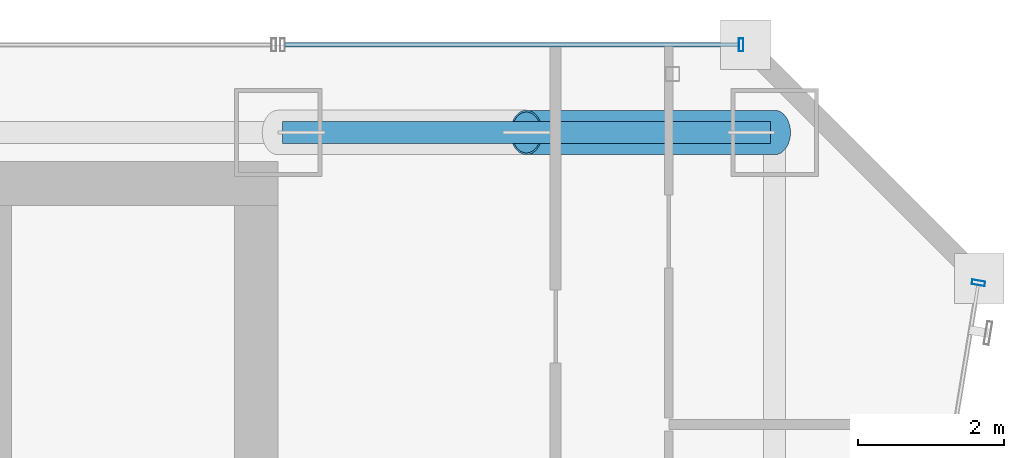
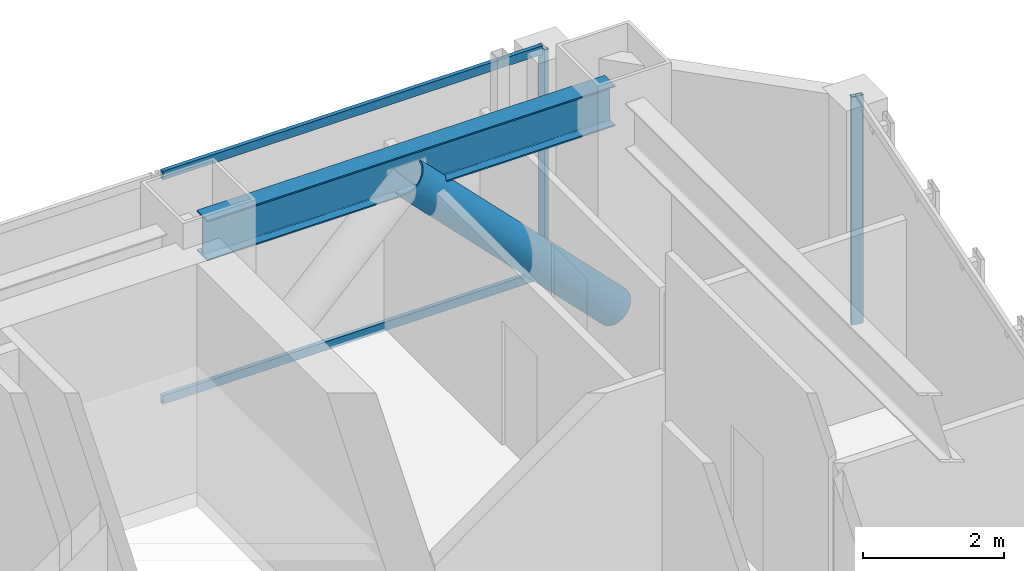
# One storey, part 33 of 47: 5 members, 1 beam, 2 elements without a shape of their own.
"""IFC4 building model written with IfcOpenShell, lengths in metres."""

from ifc_helpers import new_model, si_unit, direction, frame, origin, origin_2d, place, context, subcontext, project, spatial, hollow_rectangle, hollow_circle, i_section, extrude, material, material_profile, profile_set, type_object, element, aggregate, save


model = new_model("IFC4")

# Units and contexts
model_context = context("Model", 3, precision=1e-05, world=origin(), true_north=direction((0.0, 1.0)))
body_context = subcontext(model_context, "Body", "Model", "MODEL_VIEW")
ifc_project = project(units=[si_unit("LENGTHUNIT", "METRE"), si_unit("AREAUNIT", "SQUARE_METRE"), si_unit("VOLUMEUNIT", "CUBIC_METRE"), si_unit("PLANEANGLEUNIT", "RADIAN"), si_unit("MASSUNIT", "GRAM", prefix="KILO")], contexts=[model_context])

# Site, building, storey
site_placement = place(None, origin())
site = spatial("IfcSite", under=ifc_project, at=site_placement, CompositionType="ELEMENT")
building_placement = place(site_placement, origin())
building = spatial("IfcBuilding", under=site, at=building_placement, Name="Saevonmaru Cultural Tower", CompositionType="ELEMENT")
storey_placement = place(building_placement, frame((0.0, 0.0, 82.39990234375)))
storey = spatial("IfcBuildingStorey", under=building, at=storey_placement, Name="L17", CompositionType="ELEMENT", Elevation=82.39990234375)

# Beam
ifc_material_1 = material(Name="Steel SM355", Category="steel")
ifc_material_profile_1 = material_profile(ifc_material_1, i_section(OverallWidth=0.300048828125, OverallDepth=0.699951171875, WebThickness=0.012939453125, FlangeThickness=0.02392578125, FilletRadius=0.02587890625, at=origin_2d()), Name="H-700x300x13x24")
ifc_profile_set_1 = profile_set([ifc_material_profile_1], Name="Steel SM355")
beam_type = type_object("IfcBeamType", Name="BM-SP-H700", PredefinedType="SPANDREL", material=ifc_profile_set_1)
beam_placement = place(storey_placement, frame((46.4599609375, 54.800048828125, 3.60009765625), z_axis=(1.0, 0.0, 0.0), x_axis=(0.0, 1.0, 0.0)))
element("IfcBeam", 1, at=beam_placement, inside=storey, type_object=beam_type, Name="L17 North Spine Girder 5", PredefinedType="SPANDREL", context=body_context, shape_type="SweptSolid", body=[
    extrude(i_section(OverallWidth=0.300048828125, OverallDepth=0.699951171875, WebThickness=0.012939453125, FlangeThickness=0.02392578125, FilletRadius=0.02587890625, at=origin_2d()), origin(), (0.0, 0.0, 1.0), 6.679931640625),
])

# Member
ifc_material_2 = material(Name="Steel HSA600 (600 MPa)", Category="steel")
ifc_material_profile_2 = material_profile(ifc_material_2, hollow_circle(Radius=0.3046875, WallThickness=0.02490234375, at=origin_2d()), Name="CHS-609.6x25")
ifc_profile_set_2 = profile_set([ifc_material_profile_2], Name="Steel HSA600 (600 MPa)")
member_type_1 = type_object("IfcMemberType", Name="MB-PBR-CHS610", PredefinedType="BRACE", material=ifc_profile_set_2)
member_1_placement = place(storey_placement, frame((53.199951171875, 54.800048828125, 0.02001953125), z_axis=(-0.701896332213, 0.0, 0.712279115815), x_axis=(0.0, -1.0, 0.0)))
element("IfcMember", 2, at=member_1_placement, inside=storey, type_object=member_type_1, Name="L17 Perimeter Braced-Tube Diagonal EN2", PredefinedType="BRACE", context=body_context, shape_type="SweptSolid", body=[
    extrude(hollow_circle(Radius=0.3046875, WallThickness=0.02490234375, at=origin_2d()), origin(), (0.0, 0.0, 1.0), 4.843994140625),
])

# Curtain wall, member
ifc_material_3 = material(Name="Satin Bronze Anodised Aluminium", Category="aluminium")
curtain_wall_type = type_object("IfcCurtainWallType", Name="CW-TYP-A", PredefinedType="NOTDEFINED", material=ifc_material_3)
curtain_wall_1_placement = place(storey_placement, origin())
curtain_wall_1 = element("IfcCurtainWall", 3, at=curtain_wall_1_placement, inside=storey, type_object=curtain_wall_type, Name="L17 Unitised Curtain Wall E8", PredefinedType="NOTDEFINED")
ifc_material_profile_3 = material_profile(ifc_material_3, hollow_rectangle(XDim=0.06494140625, YDim=0.179931640625, WallThickness=0.00390625, at=origin_2d()), Name="ALU-MULL-180x65x4")
ifc_profile_set_3 = profile_set([ifc_material_profile_3], Name="Satin Bronze Anodised Aluminium")
member_type_2 = type_object("IfcMemberType", Name="ML-CW-180x65", PredefinedType="MULLION", material=ifc_profile_set_3)
member_2_placement = place(storey_placement, frame((55.990234375, 52.74072265625, 0.0), z_axis=(0.0, 0.0, 1.0), x_axis=(0.161708868641, 0.986838508472, 0.0)))
member_2 = element("IfcMember", 4, at=member_2_placement, type_object=member_type_2, Name="CW-TW-L17-E8 mullion 5", PredefinedType="MULLION", context=body_context, shape_type="SweptSolid", body=[
    extrude(hollow_rectangle(XDim=0.06494140625, YDim=0.179931640625, WallThickness=0.00390625, at=origin_2d()), origin(), (0.0, 0.0, 1.0), 3.9501953125),
])
aggregate(curtain_wall_1, [member_2])

# Curtain wall, members
curtain_wall_2_placement = place(storey_placement, origin())
curtain_wall_2 = element("IfcCurtainWall", 5, at=curtain_wall_2_placement, inside=storey, type_object=curtain_wall_type, Name="L17 East Braced Bay Spandrel Curtain Wall E10A", PredefinedType="NOTDEFINED")
member_3_placement = place(storey_placement, frame((52.739990234375, 56.0, 0.0), z_axis=(0.0, 0.0, 1.0), x_axis=(-1.0, 0.0, 0.0)))
member_3 = element("IfcMember", 6, at=member_3_placement, type_object=member_type_2, Name="CW-TW-L17-E10A mullion 1", PredefinedType="MULLION", context=body_context, shape_type="SweptSolid", body=[
    extrude(hollow_rectangle(XDim=0.06494140625, YDim=0.179931640625, WallThickness=0.00390625, at=origin_2d()), origin(), (0.0, 0.0, 1.0), 3.9501953125),
])
ifc_material_profile_4 = material_profile(ifc_material_3, hollow_rectangle(XDim=0.06494140625, YDim=0.14990234375, WallThickness=0.00390625, at=origin_2d()), Name="ALU-TRAN-150x65x4")
ifc_profile_set_4 = profile_set([ifc_material_profile_4], Name="Satin Bronze Anodised Aluminium")
member_type_3 = type_object("IfcMemberType", Name="TR-CW-150x65", PredefinedType="USERDEFINED", material=ifc_profile_set_4)
member_4_placement = place(storey_placement, frame((52.70751953125, 56.0, 0.03271484375), z_axis=(-1.0, 0.0, 0.0), x_axis=(0.0, -1.0, 0.0)))
member_4 = element("IfcMember", 7, at=member_4_placement, type_object=member_type_3, Name="CW-TW-L17-E10A transom 1.1", ObjectType="TRANSOM", PredefinedType="USERDEFINED", context=body_context, shape_type="SweptSolid", body=[
    extrude(hollow_rectangle(XDim=0.06494140625, YDim=0.14990234375, WallThickness=0.00390625, at=origin_2d()), origin(), (0.0, 0.0, 1.0), 6.215087890625),
])
member_5_placement = place(storey_placement, frame((52.70751953125, 56.0, 3.91748046875), z_axis=(-1.0, 0.0, 0.0), x_axis=(0.0, -1.0, 0.0)))
member_5 = element("IfcMember", 8, at=member_5_placement, type_object=member_type_3, Name="CW-TW-L17-E10A transom 1.2", ObjectType="TRANSOM", PredefinedType="USERDEFINED", context=body_context, shape_type="SweptSolid", body=[
    extrude(hollow_rectangle(XDim=0.06494140625, YDim=0.14990234375, WallThickness=0.00390625, at=origin_2d()), origin(), (0.0, 0.0, 1.0), 6.215087890625),
])
aggregate(curtain_wall_2, [member_3, member_4, member_5])

save(model, "model.ifc")
